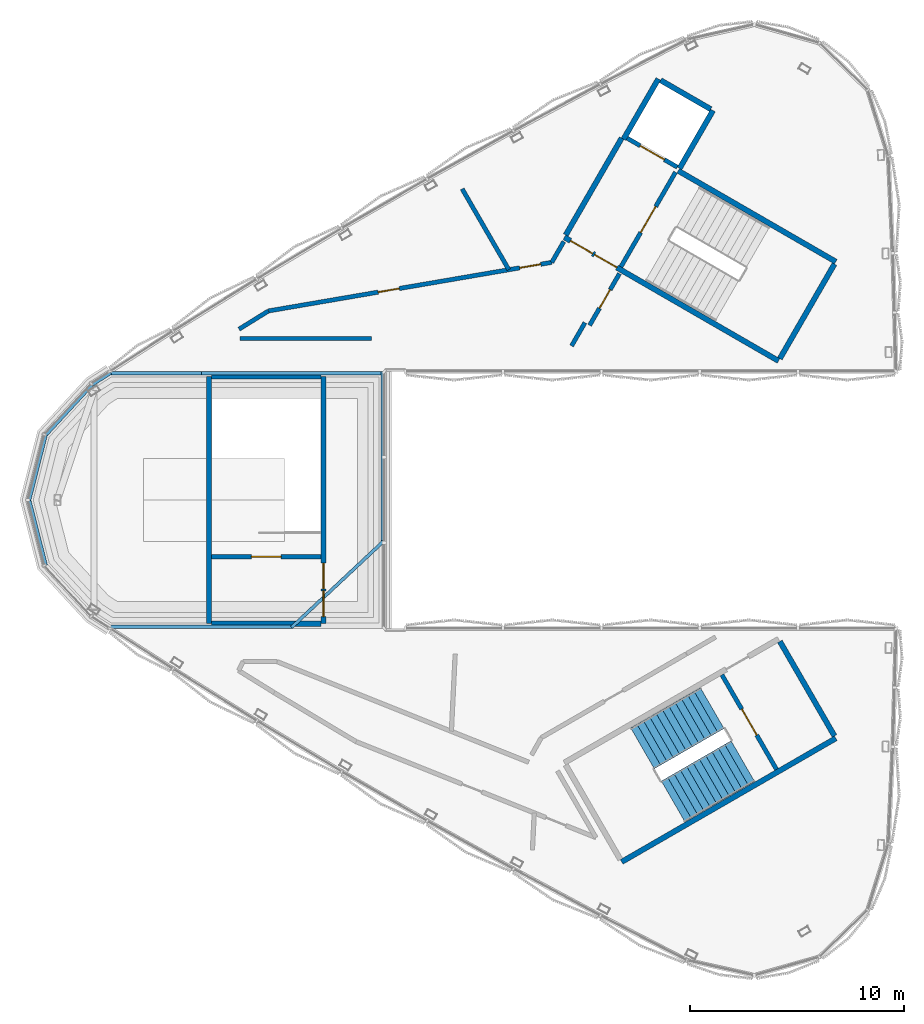
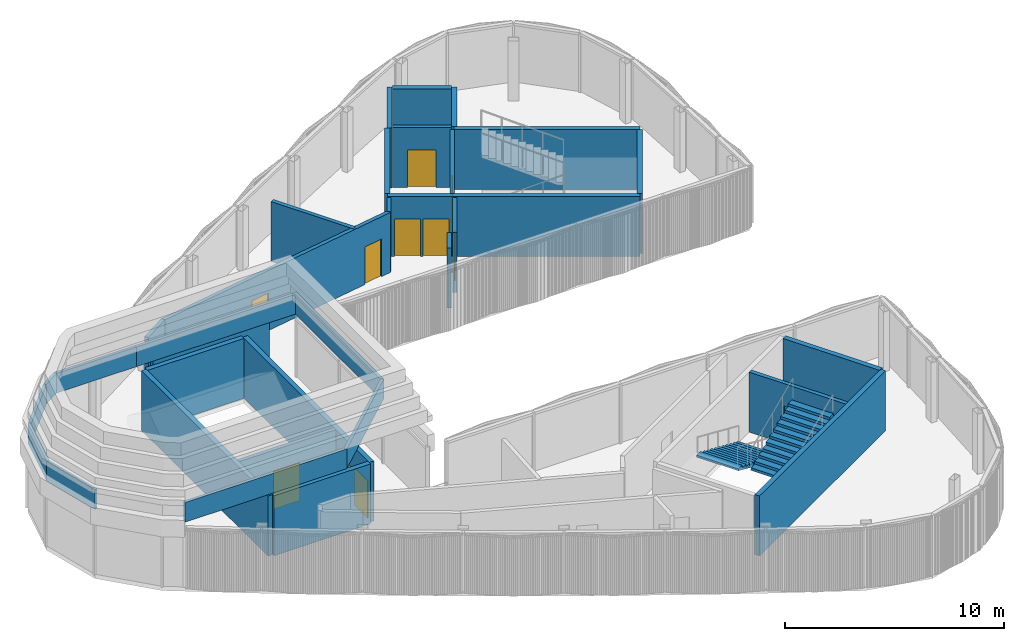
# One storey, part 7 of 16: 33 walls, 11 doors, 2 stair flights, 11 openings, 1 element without a shape of its own.
"""IFC4 building model written with IfcOpenShell, lengths in metres."""

from ifc_helpers import new_model, si_unit, direction, frame, frame_2d, origin, place, context, subcontext, project, spatial, polyline, rectangle, outline, extrude, material, layer, layer_set, type_object, element, fill, aggregate, save


model = new_model("IFC4")

# Units and contexts
model_context = context("Model", 3, precision=1e-05, world=origin(), true_north=direction((0.0, 1.0)))
body_context = subcontext(model_context, "Body", "Model", "MODEL_VIEW")
ifc_project = project(units=[si_unit("LENGTHUNIT", "METRE"), si_unit("AREAUNIT", "SQUARE_METRE"), si_unit("VOLUMEUNIT", "CUBIC_METRE"), si_unit("PLANEANGLEUNIT", "RADIAN"), si_unit("MASSUNIT", "GRAM", prefix="KILO")], contexts=[model_context])

# Site, building, storey
site_placement = place(None, origin())
site = spatial("IfcSite", under=ifc_project, at=site_placement, CompositionType="ELEMENT")
building_placement = place(site_placement, origin())
building = spatial("IfcBuilding", under=site, at=building_placement, Name="Tamra Quay Hotel Tower", CompositionType="ELEMENT")
storey_placement = place(building_placement, frame((0.0, 0.0, 327.800048828125)))
storey = spatial("IfcBuildingStorey", under=building, at=storey_placement, Name="Roof crown 3", CompositionType="ELEMENT", Elevation=327.800048828125)

# Wall, opening, door
ifc_material_1 = material(Name="Concrete M70", Category="concrete")
ifc_layer_1 = layer(ifc_material_1, 0.199951171875)
ifc_layer_set_1 = layer_set([ifc_layer_1], Name="Concrete M70 core wall 200")
wall_type_1 = type_object("IfcWallType", Name="Concrete M70 core wall 200", PredefinedType="SHEAR", material=ifc_layer_set_1)
wall_1_placement = place(storey_placement, frame((-10.96337890625, -2.64990234375, 0.0), z_axis=(0.0, 0.0, 1.0), x_axis=(-1.0, 0.0, 0.0)))
wall_1 = element("IfcWall", 1, at=wall_1_placement, inside=storey, type_object=wall_type_1, Name="CW2", PredefinedType="SHEAR", context=body_context, shape_type="SweptSolid", body=[
    extrude(rectangle(XDim=5.097900390625, YDim=0.199951171875, at=frame_2d((2.548828125, 0.0))), origin(), (0.0, 0.0, 1.0), 3.349853515625),
])
opening_1_placement = place(wall_1_placement, frame((1.84912109375, 0.0, 0.0)))
opening_1 = element("IfcOpeningElement", 2, at=opening_1_placement, cuts=wall_1, Name="Opening FD2", PredefinedType="OPENING", context=body_context, shape_type="SweptSolid", body=[
    extrude(rectangle(XDim=1.39990234375, YDim=2.10009765625, at=frame_2d((0.699951171875, 1.050048828125))), frame((0.0, 0.10986328125, 0.0), z_axis=(0.0, -1.0, 0.0), x_axis=(1.0, 0.0, 0.0)), (0.0, 0.0, 1.0), 0.219970703125),
])
ifc_material_2 = material(Name="Core door FD2 1400x2100 RH")
door_type_1 = type_object("IfcDoorType", Name="Core door FD2 1400x2100 RH", OperationType="NOTDEFINED", PredefinedType="DOOR", material=ifc_material_2)
door_1_placement = place(opening_1_placement, origin())
door_1 = element("IfcDoor", 3, at=door_1_placement, inside=storey, type_object=door_type_1, Name="FD2", OperationType="SINGLE_SWING_RIGHT", OverallHeight=2.10009765625, OverallWidth=1.39990234375, PredefinedType="DOOR", context=body_context, shape_type="SweptSolid", body=[
    extrude(rectangle(XDim=1.39990234375, YDim=2.10009765625, at=frame_2d((0.699951171875, 1.050048828125))), frame((0.0, 0.02490234375, 0.0), z_axis=(0.0, -1.0, 0.0), x_axis=(1.0, 0.0, 0.0)), (0.0, 0.0, 1.0), 0.050048828125),
])
fill(opening_1, door_1)

wall_2_placement = place(storey_placement, frame((3.056640625, 10.89453125, 0.0), z_axis=(0.0, 0.0, 1.0), x_axis=(0.499991534382, 0.866030291356, 0.0)))
wall_2 = element("IfcWall", 4, at=wall_2_placement, inside=storey, type_object=wall_type_1, Name="CW2", PredefinedType="SHEAR", context=body_context, shape_type="SweptSolid", body=[
    extrude(rectangle(XDim=5.10498046875, YDim=0.199951171875, at=frame_2d((2.552490234375, 0.0))), origin(), (0.0, 0.0, 1.0), 3.349853515625),
])
opening_2_placement = place(wall_2_placement, frame((1.84912109375, 0.0, 0.0)))
opening_2 = element("IfcOpeningElement", 5, at=opening_2_placement, cuts=wall_2, Name="Opening FD2", PredefinedType="OPENING", context=body_context, shape_type="SweptSolid", body=[
    extrude(rectangle(XDim=1.39990234375, YDim=2.10009765625, at=frame_2d((0.699951171875, 1.050048828125))), frame((0.0, 0.10986328125, 0.0), z_axis=(0.0, -1.0, 0.0), x_axis=(1.0, 0.0, 0.0)), (0.0, 0.0, 1.0), 0.219970703125),
])
door_2_placement = place(opening_2_placement, origin())
door_2 = element("IfcDoor", 6, at=door_2_placement, inside=storey, type_object=door_type_1, Name="FD2", OperationType="SINGLE_SWING_RIGHT", OverallHeight=2.10009765625, OverallWidth=1.39990234375, PredefinedType="DOOR", context=body_context, shape_type="SweptSolid", body=[
    extrude(rectangle(XDim=1.39990234375, YDim=2.10009765625, at=frame_2d((0.699951171875, 1.050048828125))), frame((0.0, 0.02490234375, 0.0), z_axis=(0.0, -1.0, 0.0), x_axis=(1.0, 0.0, 0.0)), (0.0, 0.0, 1.0), 0.050048828125),
])
fill(opening_2, door_2)

wall_3_placement = place(storey_placement, frame((5.68798828125, 15.5517578125, 0.0), z_axis=(0.0, 0.0, 1.0), x_axis=(-0.866007835605, 0.500030427744, 0.0)))
wall_3 = element("IfcWall", 7, at=wall_3_placement, inside=storey, type_object=wall_type_1, Name="CW2", PredefinedType="SHEAR", context=body_context, shape_type="SweptSolid", body=[
    extrude(rectangle(XDim=2.698974609375, YDim=0.199951171875, at=frame_2d((1.349609375, 0.0))), origin(), (0.0, 0.0, 1.0), 3.349853515625),
])
opening_3_placement = place(wall_3_placement, frame((0.699951171875, 0.0, 0.0)))
opening_3 = element("IfcOpeningElement", 8, at=opening_3_placement, cuts=wall_3, Name="Opening LD", PredefinedType="OPENING", context=body_context, shape_type="SweptSolid", body=[
    extrude(rectangle(XDim=1.300048828125, YDim=2.10009765625, at=frame_2d((0.64990234375, 1.050048828125))), frame((0.0, 0.10986328125, 0.0), z_axis=(0.0, -1.0, 0.0), x_axis=(1.0, 0.0, 0.0)), (0.0, 0.0, 1.0), 0.219970703125),
])
ifc_material_3 = material(Name="Landing door LD 1300 sliding to left")
door_type_2 = type_object("IfcDoorType", Name="Landing door LD 1300 sliding to left", OperationType="NOTDEFINED", PredefinedType="DOOR", material=ifc_material_3)
door_3_placement = place(opening_3_placement, origin())
door_3 = element("IfcDoor", 9, at=door_3_placement, inside=storey, type_object=door_type_2, Name="LD", OperationType="SLIDING_TO_LEFT", OverallHeight=2.10009765625, OverallWidth=1.300048828125, PredefinedType="DOOR", context=body_context, shape_type="SweptSolid", body=[
    extrude(rectangle(XDim=1.300048828125, YDim=2.10009765625, at=frame_2d((0.64990234375, 1.050048828125))), frame((0.0, 0.02490234375, 0.0), z_axis=(0.0, -1.0, 0.0), x_axis=(1.0, 0.0, 0.0)), (0.0, 0.0, 1.0), 0.050048828125),
])
fill(opening_3, door_3)

wall_4_placement = place(storey_placement, frame((7.776611328125, -8.16943359375, 0.0), z_axis=(0.0, 0.0, 1.0), x_axis=(0.500007101845, -0.866021303493, 0.0)))
wall_4 = element("IfcWall", 10, at=wall_4_placement, inside=storey, type_object=wall_type_1, Name="CW2", PredefinedType="SHEAR", context=body_context, shape_type="SweptSolid", body=[
    extrude(rectangle(XDim=5.09814453125, YDim=0.199951171875, at=frame_2d((2.549072265625, 0.0))), origin(), (0.0, 0.0, 1.0), 3.349853515625),
])
opening_4_placement = place(wall_4_placement, frame((1.84912109375, 0.0, 0.0)))
opening_4 = element("IfcOpeningElement", 11, at=opening_4_placement, cuts=wall_4, Name="Opening FD2", PredefinedType="OPENING", context=body_context, shape_type="SweptSolid", body=[
    extrude(rectangle(XDim=1.39990234375, YDim=2.10009765625, at=frame_2d((0.699951171875, 1.050048828125))), frame((0.0, 0.10986328125, 0.0), z_axis=(0.0, -1.0, 0.0), x_axis=(1.0, 0.0, 0.0)), (0.0, 0.0, 1.0), 0.219970703125),
])
door_4_placement = place(opening_4_placement, origin())
door_4 = element("IfcDoor", 12, at=door_4_placement, inside=storey, type_object=door_type_1, Name="FD2", OperationType="SINGLE_SWING_RIGHT", OverallHeight=2.10009765625, OverallWidth=1.39990234375, PredefinedType="DOOR", context=body_context, shape_type="SweptSolid", body=[
    extrude(rectangle(XDim=1.39990234375, YDim=2.10009765625, at=frame_2d((0.699951171875, 1.050048828125))), frame((0.0, 0.02490234375, 0.0), z_axis=(0.0, -1.0, 0.0), x_axis=(1.0, 0.0, 0.0)), (0.0, 0.0, 1.0), 0.050048828125),
])
fill(opening_4, door_4)

# Wall, openings, doors
ifc_layer_2 = layer(ifc_material_1, 0.25)
ifc_layer_set_2 = layer_set([ifc_layer_2], Name="Concrete M70 core wall 250")
wall_type_2 = type_object("IfcWallType", Name="Concrete M70 core wall 250", PredefinedType="SHEAR", material=ifc_layer_set_2)
wall_5_placement = place(storey_placement, frame((-10.83740234375, 5.77490234375, 0.0), z_axis=(0.0, 0.0, 1.0), x_axis=(0.0, -1.0, 0.0)))
wall_5 = element("IfcWall", 13, at=wall_5_placement, inside=storey, type_object=wall_type_2, Name="CW1", PredefinedType="SHEAR", context=body_context, shape_type="SweptSolid", body=[
    extrude(rectangle(XDim=11.5498046875, YDim=0.25, at=frame_2d((5.77490234375, 0.0))), origin(), (0.0, 0.0, 1.0), 3.349853515625),
])
opening_5_placement = place(wall_5_placement, frame((10.02490234375, 0.0, 0.0)))
opening_5 = element("IfcOpeningElement", 14, at=opening_5_placement, cuts=wall_5, Name="Opening FD1", PredefinedType="OPENING", context=body_context, shape_type="SweptSolid", body=[
    extrude(rectangle(XDim=1.199951171875, YDim=2.10009765625, at=frame_2d((0.60009765625, 1.050048828125))), frame((0.0, 0.135009765625, 0.0), z_axis=(0.0, -1.0, 0.0), x_axis=(1.0, 0.0, 0.0)), (0.0, 0.0, 1.0), 0.27001953125),
])
opening_6_placement = place(wall_5_placement, frame((8.72509765625, 0.0, 0.0)))
opening_6 = element("IfcOpeningElement", 15, at=opening_6_placement, cuts=wall_5, Name="Opening FD1", PredefinedType="OPENING", context=body_context, shape_type="SweptSolid", body=[
    extrude(rectangle(XDim=1.199951171875, YDim=2.10009765625, at=frame_2d((0.60009765625, 1.050048828125))), frame((0.0, 0.135009765625, 0.0), z_axis=(0.0, -1.0, 0.0), x_axis=(1.0, 0.0, 0.0)), (0.0, 0.0, 1.0), 0.27001953125),
])
ifc_material_4 = material(Name="Core door FD1 1200x2100 LH")
door_type_3 = type_object("IfcDoorType", Name="Core door FD1 1200x2100 LH", OperationType="NOTDEFINED", PredefinedType="DOOR", material=ifc_material_4)
door_5_placement = place(opening_5_placement, origin())
door_5 = element("IfcDoor", 16, at=door_5_placement, inside=storey, type_object=door_type_3, Name="FD1", OperationType="SINGLE_SWING_LEFT", OverallHeight=2.10009765625, OverallWidth=1.199951171875, PredefinedType="DOOR", context=body_context, shape_type="SweptSolid", body=[
    extrude(rectangle(XDim=1.199951171875, YDim=2.10009765625, at=frame_2d((0.60009765625, 1.050048828125))), frame((0.0, 0.02490234375, 0.0), z_axis=(0.0, -1.0, 0.0), x_axis=(1.0, 0.0, 0.0)), (0.0, 0.0, 1.0), 0.050048828125),
])
fill(opening_5, door_5)
ifc_material_5 = material(Name="Core door FD1 1200x2100 RH")
door_type_4 = type_object("IfcDoorType", Name="Core door FD1 1200x2100 RH", OperationType="NOTDEFINED", PredefinedType="DOOR", material=ifc_material_5)
door_6_placement = place(opening_6_placement, origin())
door_6 = element("IfcDoor", 17, at=door_6_placement, inside=storey, type_object=door_type_4, Name="FD1", OperationType="SINGLE_SWING_RIGHT", OverallHeight=2.10009765625, OverallWidth=1.199951171875, PredefinedType="DOOR", context=body_context, shape_type="SweptSolid", body=[
    extrude(rectangle(XDim=1.199951171875, YDim=2.10009765625, at=frame_2d((0.60009765625, 1.050048828125))), frame((0.0, 0.02490234375, 0.0), z_axis=(0.0, -1.0, 0.0), x_axis=(1.0, 0.0, 0.0)), (0.0, 0.0, 1.0), 0.050048828125),
])
fill(opening_6, door_6)

# Walls
wall_6_placement = place(storey_placement, frame((-16.187255859375, -5.77490234375, 0.0), z_axis=(0.0, 0.0, 1.0), x_axis=(0.0, 1.0, 0.0)))
element("IfcWall", 18, at=wall_6_placement, inside=storey, type_object=wall_type_2, Name="CW1", PredefinedType="SHEAR", context=body_context, shape_type="SweptSolid", body=[
    extrude(rectangle(XDim=11.5498046875, YDim=0.25, at=frame_2d((5.77490234375, 0.0))), origin(), (0.0, 0.0, 1.0), 3.349853515625),
])
for number, where, z_axis, x_axis, name in (
    (19, (-10.962646484375, -5.77490234375, 0.0), (0.0, 0.0, 1.0), (-1.0, 0.0, 0.0), "CW1"),
    (20, (-16.061767578125, 5.77490234375, 0.0), (0.0, 0.0, 1.0), (1.0, 0.0, 0.0), "CW1"),
):
    element("IfcWall", number, at=place(storey_placement, frame(where, z_axis=z_axis, x_axis=x_axis)), inside=storey, type_object=wall_type_2, Name=name, PredefinedType="SHEAR", context=body_context, shape_type="SweptSolid", body=[
        extrude(rectangle(XDim=5.09912109375, YDim=0.25, at=frame_2d((2.549560546875, 0.0))), origin(), (0.0, 0.0, 1.0), 3.349853515625),
    ])

# Wall, openings, doors
wall_7_placement = place(storey_placement, frame((10.419921875, 6.497802734375, 0.0), z_axis=(0.0, 0.0, 1.0), x_axis=(-0.866021906294, 0.500006057782, 0.0)))
wall_7 = element("IfcWall", 21, at=wall_7_placement, inside=storey, type_object=wall_type_2, Name="CW1", PredefinedType="SHEAR", context=body_context, shape_type="SweptSolid", body=[
    extrude(rectangle(XDim=11.550048828125, YDim=0.25, at=frame_2d((5.77490234375, 0.0))), origin(), (0.0, 0.0, 1.0), 3.349853515625),
])
opening_7_placement = place(wall_7_placement, frame((10.02490234375, 0.0, 0.0)))
opening_7 = element("IfcOpeningElement", 22, at=opening_7_placement, cuts=wall_7, Name="Opening FD1", PredefinedType="OPENING", context=body_context, shape_type="SweptSolid", body=[
    extrude(rectangle(XDim=1.199951171875, YDim=2.10009765625, at=frame_2d((0.60009765625, 1.050048828125))), frame((0.0, 0.135009765625, 0.0), z_axis=(0.0, -1.0, 0.0), x_axis=(1.0, 0.0, 0.0)), (0.0, 0.0, 1.0), 0.27001953125),
])
opening_8_placement = place(wall_7_placement, frame((8.724853515625, 0.0, 0.0)))
opening_8 = element("IfcOpeningElement", 23, at=opening_8_placement, cuts=wall_7, Name="Opening FD1", PredefinedType="OPENING", context=body_context, shape_type="SweptSolid", body=[
    extrude(rectangle(XDim=1.199951171875, YDim=2.10009765625, at=frame_2d((0.60009765625, 1.050048828125))), frame((0.0, 0.135009765625, 0.0), z_axis=(0.0, -1.0, 0.0), x_axis=(1.0, 0.0, 0.0)), (0.0, 0.0, 1.0), 0.27001953125),
])
door_7_placement = place(opening_7_placement, origin())
door_7 = element("IfcDoor", 24, at=door_7_placement, inside=storey, type_object=door_type_3, Name="FD1", OperationType="SINGLE_SWING_LEFT", OverallHeight=2.10009765625, OverallWidth=1.199951171875, PredefinedType="DOOR", context=body_context, shape_type="SweptSolid", body=[
    extrude(rectangle(XDim=1.199951171875, YDim=2.10009765625, at=frame_2d((0.60009765625, 1.050048828125))), frame((0.0, 0.02490234375, 0.0), z_axis=(0.0, -1.0, 0.0), x_axis=(1.0, 0.0, 0.0)), (0.0, 0.0, 1.0), 0.050048828125),
])
fill(opening_7, door_7)
door_8_placement = place(opening_8_placement, origin())
door_8 = element("IfcDoor", 25, at=door_8_placement, inside=storey, type_object=door_type_4, Name="FD1", OperationType="SINGLE_SWING_RIGHT", OverallHeight=2.10009765625, OverallWidth=1.199951171875, PredefinedType="DOOR", context=body_context, shape_type="SweptSolid", body=[
    extrude(rectangle(XDim=1.199951171875, YDim=2.10009765625, at=frame_2d((0.60009765625, 1.050048828125))), frame((0.0, 0.02490234375, 0.0), z_axis=(0.0, -1.0, 0.0), x_axis=(1.0, 0.0, 0.0)), (0.0, 0.0, 1.0), 0.050048828125),
])
fill(opening_8, door_8)

# Walls
wall_8_placement = place(storey_placement, frame((5.733642578125, 15.381103515625, 0.0), z_axis=(0.0, 0.0, 1.0), x_axis=(0.866028703517, -0.499994284652, 0.0)))
element("IfcWall", 26, at=wall_8_placement, inside=storey, type_object=wall_type_2, Name="CW1", PredefinedType="SHEAR", context=body_context, shape_type="SweptSolid", body=[
    extrude(rectangle(XDim=8.5, YDim=0.25, at=frame_2d((4.25, 0.0))), origin(), (0.0, 0.0, 1.0), 3.349853515625),
])
wall_9_placement = place(storey_placement, frame((0.47998046875, 12.38134765625, 0.0), z_axis=(0.0, 0.0, 1.0), x_axis=(0.49999885962, 0.866026062182, 0.0)))
element("IfcWall", 27, at=wall_9_placement, inside=storey, type_object=wall_type_2, Name="CW1", PredefinedType="SHEAR", context=body_context, shape_type="SweptSolid", body=[
    extrude(rectangle(XDim=5.224609375, YDim=0.25, at=frame_2d((2.6123046875, 0.0))), origin(), (0.0, 0.0, 1.0), 3.349853515625),
])
wall_10_placement = place(storey_placement, frame((13.0322265625, 11.0224609375, 0.0), z_axis=(0.0, 0.0, 1.0), x_axis=(-0.499995990076, -0.866027718903, 0.0)))
element("IfcWall", 28, at=wall_10_placement, inside=storey, type_object=wall_type_2, Name="CW1", PredefinedType="SHEAR", context=body_context, shape_type="SweptSolid", body=[
    extrude(rectangle(XDim=5.09912109375, YDim=0.25, at=frame_2d((2.549560546875, 0.0))), origin(), (0.0, 0.0, 1.0), 3.349853515625),
])
wall_11_placement = place(storey_placement, frame((7.358642578125, 18.19580078125, 0.0), z_axis=(0.0, 0.0, 1.0), x_axis=(-0.4999794672, -0.866037258078, 0.0)))
element("IfcWall", 29, at=wall_11_placement, inside=storey, type_object=wall_type_2, Name="CW1", PredefinedType="SHEAR", context=body_context, shape_type="SweptSolid", body=[
    extrude(rectangle(XDim=3.124755859375, YDim=0.25, at=frame_2d((1.5625, 0.0))), origin(), (0.0, 0.0, 1.0), 3.349853515625),
])
wall_12_placement = place(storey_placement, frame((3.178955078125, 16.856201171875, 0.0), z_axis=(0.0, 0.0, 1.0), x_axis=(0.500017246033, 0.866015446554, 0.0)))
element("IfcWall", 30, at=wall_12_placement, inside=storey, type_object=wall_type_2, Name="CW1", PredefinedType="SHEAR", context=body_context, shape_type="SweptSolid", body=[
    extrude(rectangle(XDim=3.25, YDim=0.25, at=frame_2d((1.625, 0.0))), origin(), (0.0, 0.0, 1.0), 3.349853515625),
])
wall_13_placement = place(storey_placement, frame((4.91259765625, 19.60791015625, 0.0), z_axis=(0.0, 0.0, 1.0), x_axis=(0.866030449233, -0.499991260925, 0.0)))
element("IfcWall", 31, at=wall_13_placement, inside=storey, type_object=wall_type_2, Name="CW1", PredefinedType="SHEAR", context=body_context, shape_type="SweptSolid", body=[
    extrude(rectangle(XDim=2.69921875, YDim=0.25, at=frame_2d((1.349609375, 0.0))), origin(), (0.0, 0.0, 1.0), 3.349853515625),
])
wall_14_placement = place(storey_placement, frame((13.094970703125, -11.131103515625, 0.0), z_axis=(0.0, 0.0, 1.0), x_axis=(-0.866031059098, -0.499990204581, 0.0)))
element("IfcWall", 32, at=wall_14_placement, inside=storey, type_object=wall_type_2, Name="CW1", PredefinedType="SHEAR", context=body_context, shape_type="SweptSolid", body=[
    extrude(rectangle(XDim=11.550048828125, YDim=0.25, at=frame_2d((5.77490234375, 0.0))), origin(), (0.0, 0.0, 1.0), 3.349853515625),
])
wall_15_placement = place(storey_placement, frame((10.482666015625, -6.6064453125, 0.0), z_axis=(0.0, 0.0, 1.0), x_axis=(0.499995990076, -0.866027718903, 0.0)))
element("IfcWall", 33, at=wall_15_placement, inside=storey, type_object=wall_type_2, Name="CW1", PredefinedType="SHEAR", context=body_context, shape_type="SweptSolid", body=[
    extrude(rectangle(XDim=5.09912109375, YDim=0.25, at=frame_2d((2.549560546875, 0.0))), origin(), (0.0, 0.0, 1.0), 3.349853515625),
])
ifc_material_6 = material(Name="Reinforced concrete M60 with render", Category="concrete")
ifc_layer_3 = layer(ifc_material_6, 0.14990234375)
ifc_layer_set_3 = layer_set([ifc_layer_3], Name="PARAPET WALL 150")
wall_type_3 = type_object("IfcWallType", Name="PARAPET WALL 150", PredefinedType="PARAPET", material=ifc_layer_set_3)
wall_16_placement = place(storey_placement, frame((-12.27197265625, -5.925048828125, 3.599853515625), z_axis=(0.0, 0.0, 1.0), x_axis=(-1.0, 0.0, 0.0)))
element("IfcWall", 34, at=wall_16_placement, inside=storey, type_object=wall_type_3, Name="PW0", PredefinedType="PARAPET", context=body_context, shape_type="SweptSolid", body=[
    extrude(rectangle(XDim=8.543701171875, YDim=0.14990234375, at=frame_2d((4.27197265625, 0.0))), origin(), (0.0, 0.0, 1.0), 1.10009765625),
])
wall_17_placement = place(storey_placement, frame((-8.05126953125, -1.9453125, 3.599853515625), z_axis=(0.0, 0.0, 1.0), x_axis=(-0.729941681389, -0.683509430638, 0.0)))
element("IfcWall", 35, at=wall_17_placement, inside=storey, type_object=wall_type_3, Name="PW0", PredefinedType="PARAPET", context=body_context, shape_type="SweptSolid", body=[
    extrude(rectangle(XDim=5.85205078125, YDim=0.14990234375, at=frame_2d((2.926025390625, 0.0))), origin(), (0.0, 0.0, 1.0), 1.10009765625),
])
wall_18_placement = place(storey_placement, frame((-8.074951171875, 6.0, 3.599853515625), z_axis=(0.0, 0.0, 1.0), x_axis=(0.0, -1.0, 0.0)))
element("IfcWall", 36, at=wall_18_placement, inside=storey, type_object=wall_type_3, Name="PW0", PredefinedType="PARAPET", context=body_context, shape_type="SweptSolid", body=[
    extrude(rectangle(XDim=8.0, YDim=0.14990234375, at=frame_2d((4.0, 0.0))), origin(), (0.0, 0.0, 1.0), 1.10009765625),
])
wall_19_placement = place(storey_placement, frame((-16.543701171875, 5.925048828125, 3.599853515625), z_axis=(0.0, 0.0, 1.0), x_axis=(1.0, 0.0, 0.0)))
element("IfcWall", 37, at=wall_19_placement, inside=storey, type_object=wall_type_3, Name="PW0", PredefinedType="PARAPET", context=body_context, shape_type="SweptSolid", body=[
    extrude(rectangle(XDim=8.543701171875, YDim=0.14990234375, at=frame_2d((4.27197265625, 0.0))), origin(), (0.0, 0.0, 1.0), 1.10009765625),
])
wall_20_placement = place(storey_placement, frame((-20.815673828125, 5.925048828125, 3.599853515625), z_axis=(0.0, 0.0, 1.0), x_axis=(1.0, 0.0, 0.0)))
element("IfcWall", 38, at=wall_20_placement, inside=storey, type_object=wall_type_3, Name="PW0", PredefinedType="PARAPET", context=body_context, shape_type="SweptSolid", body=[
    extrude(rectangle(XDim=4.27197265625, YDim=0.14990234375, at=frame_2d((2.135986328125, 0.0))), origin(), (0.0, 0.0, 1.0), 1.10009765625),
])
wall_21_placement = place(storey_placement, frame((-21.64892578125, 5.376220703125, 3.599853515625), z_axis=(0.0, 0.0, 1.0), x_axis=(0.841690048982, 0.539960981409, 0.0)))
element("IfcWall", 39, at=wall_21_placement, inside=storey, type_object=wall_type_3, Name="PW0", PredefinedType="PARAPET", context=body_context, shape_type="SweptSolid", body=[
    extrude(rectangle(XDim=1.0380859375, YDim=0.14990234375, at=frame_2d((0.51904296875, 0.0))), origin(), (0.0, 0.0, 1.0), 1.10009765625),
])
wall_22_placement = place(storey_placement, frame((-23.823974609375, 3.010498046875, 3.599853515625), z_axis=(0.0, 0.0, 1.0), x_axis=(0.677395111538, 0.735619373633, 0.0)))
element("IfcWall", 40, at=wall_22_placement, inside=storey, type_object=wall_type_3, Name="PW0", PredefinedType="PARAPET", context=body_context, shape_type="SweptSolid", body=[
    extrude(rectangle(XDim=3.23291015625, YDim=0.14990234375, at=frame_2d((1.616455078125, 0.0))), origin(), (0.0, 0.0, 1.0), 1.10009765625),
])
for number, where, z_axis, x_axis, name in (
    (41, (-24.581787109375, -0.018310546875, 3.599853515625), (0.0, 0.0, 1.0), (0.245535903329, 0.969387497431, 0.0), "PW0"),
    (42, (-23.806396484375, -3.04296875, 3.599853515625), (0.0, 0.0, 1.0), (-0.245535903329, 0.969387497431, 0.0), "PW0"),
):
    element("IfcWall", number, at=place(storey_placement, frame(where, z_axis=z_axis, x_axis=x_axis)), inside=storey, type_object=wall_type_3, Name=name, PredefinedType="PARAPET", context=body_context, shape_type="SweptSolid", body=[
        extrude(rectangle(XDim=3.157958984375, YDim=0.14990234375, at=frame_2d((1.5791015625, 0.0))), origin(), (0.0, 0.0, 1.0), 1.10009765625),
    ])
ifc_material_7 = material(Name="Partition corridor wall")
ifc_layer_4 = layer(ifc_material_7, 0.199951171875)
ifc_layer_set_4 = layer_set([ifc_layer_4], Name="Partition corridor wall")
wall_type_4 = type_object("IfcWallType", Name="Partition corridor wall", PredefinedType="PARTITIONING", material=ifc_layer_set_4)
wall_23_placement = place(storey_placement, frame((-14.781982421875, 7.98095703125, 0.0), z_axis=(0.0, 0.0, 1.0), x_axis=(0.850065227576, 0.526677423918, 0.0)))
element("IfcWall", 43, at=wall_23_placement, inside=storey, type_object=wall_type_4, Name="W-C", PredefinedType="PARTITIONING", context=body_context, shape_type="SweptSolid", body=[
    extrude(rectangle(XDim=1.614013671875, YDim=0.199951171875, at=frame_2d((0.80712890625, 0.0))), origin(), (0.0, 0.0, 1.0), 3.349853515625),
])
wall_24_placement = place(storey_placement, frame((-14.7451171875, 7.549072265625, 0.0), z_axis=(0.0, 0.0, 1.0), x_axis=(1.0, 0.0, 0.0)))
element("IfcWall", 44, at=wall_24_placement, inside=storey, type_object=wall_type_4, Name="W-C", PredefinedType="PARTITIONING", context=body_context, shape_type="SweptSolid", body=[
    extrude(rectangle(XDim=6.156005859375, YDim=0.199951171875, at=frame_2d((3.078125, 0.0))), origin(), (0.0, 0.0, 1.0), 3.349853515625),
])

# Wall, openings, doors
wall_25_placement = place(storey_placement, frame((-13.409912109375, 8.8310546875, 0.0), z_axis=(0.0, 0.0, 1.0), x_axis=(0.985608240333, 0.169045545896, 0.0)))
wall_25 = element("IfcWall", 45, at=wall_25_placement, inside=storey, type_object=wall_type_4, Name="W-C", PredefinedType="PARTITIONING", context=body_context, shape_type="SweptSolid", body=[
    extrude(rectangle(XDim=13.431396484375, YDim=0.199951171875, at=frame_2d((6.7158203125, 0.0))), origin(), (0.0, 0.0, 1.0), 3.349853515625),
])
opening_9_placement = place(wall_25_placement, frame((5.196533203125, 0.0, 0.0)))
opening_9 = element("IfcOpeningElement", 46, at=opening_9_placement, cuts=wall_25, Name="Opening Roof crown 3-D001", PredefinedType="OPENING", context=body_context, shape_type="SweptSolid", body=[
    extrude(rectangle(XDim=1.0, YDim=2.10009765625, at=frame_2d((0.5, 1.050048828125))), frame((0.0, 0.10986328125, 0.0), z_axis=(0.0, -1.0, 0.0), x_axis=(1.0, 0.0, 0.0)), (0.0, 0.0, 1.0), 0.219970703125),
])
opening_10_placement = place(wall_25_placement, frame((11.911865234375, 0.0, 0.0)))
opening_10 = element("IfcOpeningElement", 47, at=opening_10_placement, cuts=wall_25, Name="Opening Roof crown 3-D002", PredefinedType="OPENING", context=body_context, shape_type="SweptSolid", body=[
    extrude(rectangle(XDim=1.0, YDim=2.10009765625, at=frame_2d((0.5, 1.050048828125))), frame((0.0, 0.10986328125, 0.0), z_axis=(0.0, -1.0, 0.0), x_axis=(1.0, 0.0, 0.0)), (0.0, 0.0, 1.0), 0.219970703125),
])
ifc_material_8 = material(Name="Door service room 1000x2100")
door_type_5 = type_object("IfcDoorType", Name="Door service room 1000x2100", OperationType="NOTDEFINED", PredefinedType="DOOR", material=ifc_material_8)
door_9_placement = place(opening_9_placement, origin())
door_9 = element("IfcDoor", 48, at=door_9_placement, inside=storey, type_object=door_type_5, Name="Roof crown 3-D001", OperationType="SINGLE_SWING_LEFT", OverallHeight=2.10009765625, OverallWidth=1.0, PredefinedType="DOOR", context=body_context, shape_type="SweptSolid", body=[
    extrude(rectangle(XDim=1.0, YDim=2.10009765625, at=frame_2d((0.5, 1.050048828125))), frame((0.0, 0.02490234375, 0.0), z_axis=(0.0, -1.0, 0.0), x_axis=(1.0, 0.0, 0.0)), (0.0, 0.0, 1.0), 0.050048828125),
])
fill(opening_9, door_9)
door_10_placement = place(opening_10_placement, origin())
door_10 = element("IfcDoor", 49, at=door_10_placement, inside=storey, type_object=door_type_5, Name="Roof crown 3-D002", OperationType="SINGLE_SWING_LEFT", OverallHeight=2.10009765625, OverallWidth=1.0, PredefinedType="DOOR", context=body_context, shape_type="SweptSolid", body=[
    extrude(rectangle(XDim=1.0, YDim=2.10009765625, at=frame_2d((0.5, 1.050048828125))), frame((0.0, 0.02490234375, 0.0), z_axis=(0.0, -1.0, 0.0), x_axis=(1.0, 0.0, 0.0)), (0.0, 0.0, 1.0), 0.050048828125),
])
fill(opening_10, door_10)

# Walls
wall_26_placement = place(storey_placement, frame((-0.172119140625, 11.10205078125, 0.0), z_axis=(0.0, 0.0, 1.0), x_axis=(0.500205192419, 0.86590690347, 0.0)))
element("IfcWall", 50, at=wall_26_placement, inside=storey, type_object=wall_type_4, Name="W-C", PredefinedType="PARTITIONING", context=body_context, shape_type="SweptSolid", body=[
    extrude(rectangle(XDim=1.12353515625, YDim=0.199951171875, at=frame_2d((0.561767578125, 0.0))), origin(), (0.0, 0.0, 1.0), 3.349853515625),
])
wall_27_placement = place(storey_placement, frame((0.751953125, 7.199951171875, 0.0), z_axis=(0.0, 0.0, 1.0), x_axis=(0.499835134068, 0.866120568253, 0.0)))
element("IfcWall", 51, at=wall_27_placement, inside=storey, type_object=wall_type_4, Name="W-C", PredefinedType="PARTITIONING", context=body_context, shape_type="SweptSolid", body=[
    extrude(rectangle(XDim=1.25048828125, YDim=0.199951171875, at=frame_2d((0.625244140625, 0.0))), origin(), (0.0, 0.0, 1.0), 3.349853515625),
])

# Wall, opening, door
wall_28_placement = place(storey_placement, frame((1.593017578125, 8.158935546875, 0.0), z_axis=(0.0, 0.0, 1.0), x_axis=(0.500035555316, 0.86600487494, 0.0)))
wall_28 = element("IfcWall", 52, at=wall_28_placement, inside=storey, type_object=wall_type_4, Name="W-C", PredefinedType="PARTITIONING", context=body_context, shape_type="SweptSolid", body=[
    extrude(rectangle(XDim=2.789794921875, YDim=0.199951171875, at=frame_2d((1.39501953125, 0.0))), origin(), (0.0, 0.0, 1.0), 3.349853515625),
])
opening_11_placement = place(wall_28_placement, frame((0.9248046875, 0.0, 0.0)))
opening_11 = element("IfcOpeningElement", 53, at=opening_11_placement, cuts=wall_28, Name="Opening Roof crown 3-D003", PredefinedType="OPENING", context=body_context, shape_type="SweptSolid", body=[
    extrude(rectangle(XDim=1.0, YDim=2.10009765625, at=frame_2d((0.5, 1.050048828125))), frame((0.0, 0.10986328125, 0.0), z_axis=(0.0, -1.0, 0.0), x_axis=(1.0, 0.0, 0.0)), (0.0, 0.0, 1.0), 0.219970703125),
])
door_11_placement = place(opening_11_placement, frame((1.0, 0.0, 0.0), z_axis=(0.0, 0.0, 1.0), x_axis=(-1.0, 0.0, 0.0)))
door_11 = element("IfcDoor", 54, at=door_11_placement, inside=storey, type_object=door_type_5, Name="Roof crown 3-D003", OperationType="SINGLE_SWING_LEFT", OverallHeight=2.10009765625, OverallWidth=1.0, PredefinedType="DOOR", context=body_context, shape_type="SweptSolid", body=[
    extrude(rectangle(XDim=1.0, YDim=2.10009765625, at=frame_2d((0.5, 1.050048828125))), frame((0.0, 0.02490234375, 0.0), z_axis=(0.0, -1.0, 0.0), x_axis=(1.0, 0.0, 0.0)), (0.0, 0.0, 1.0), 0.050048828125),
])
fill(opening_11, door_11)

# Wall
ifc_material_9 = material(Name="Partition party wall")
ifc_layer_5 = layer(ifc_material_9, 0.199951171875)
ifc_layer_set_5 = layer_set([ifc_layer_5], Name="Partition party wall")
wall_type_5 = type_object("IfcWallType", Name="Partition party wall", PredefinedType="PARTITIONING", material=ifc_layer_set_5)
wall_29_placement = place(storey_placement, frame((-4.35888671875, 14.532958984375, 0.0), z_axis=(0.0, 0.0, 1.0), x_axis=(0.500039446364, -0.866002628218, 0.0)))
element("IfcWall", 55, at=wall_29_placement, inside=storey, type_object=wall_type_5, Name="W-P", PredefinedType="PARTITIONING", context=body_context, shape_type="SweptSolid", body=[
    extrude(rectangle(XDim=4.355712890625, YDim=0.199951171875, at=frame_2d((2.177734375, 0.0))), origin(), (0.0, 0.0, 1.0), 3.349853515625),
])

# Stair, stair flights
ifc_material_10 = material(Name="Exit stair 2200 24 risers 150.0 going 342")
stair_type = type_object("IfcStairType", Name="Exit stair 2200 24 risers 150.0 going 342", PredefinedType="HALF_TURN_STAIR", material=ifc_material_10)
stair_placement = place(storey_placement, origin())
stair = element("IfcStair", 56, at=stair_placement, inside=storey, type_object=stair_type, Name="Roof crown 3 Exit stair ST2", PredefinedType="HALF_TURN_STAIR")
ifc_material_11 = material(Name="Exit stair flight 2200 12 risers 150.0")
stair_flight_type = type_object("IfcStairFlightType", Name="Exit stair flight 2200 12 risers 150.0", PredefinedType="STRAIGHT", material=ifc_material_11)
stair_flight_1_placement = place(storey_placement, frame((7.322998046875, -9.7236328125, 0.0), z_axis=(0.0, 0.0, 1.0), x_axis=(-0.866025403784, -0.5, 0.0)))
stair_flight_1 = element("IfcStairFlight", 57, at=stair_flight_1_placement, type_object=stair_flight_type, Name="ST2 flight 1", NumberOfRisers=12, NumberOfTreads=11, PredefinedType="STRAIGHT", RiserHeight=0.15, TreadLength=0.342, context=body_context, shape_type="SweptSolid", body=[
    extrude(outline(polyline([(0.0, 0.0), (0.0, 0.14990234375), (0.342041015625, 0.14990234375), (0.342041015625, 0.300048828125), (0.68408203125, 0.300048828125), (0.68408203125, 0.449951171875), (1.02587890625, 0.449951171875), (1.02587890625, 0.60009765625), (1.367919921875, 0.60009765625), (1.367919921875, 0.75), (1.7099609375, 0.75), (1.7099609375, 0.89990234375), (2.052001953125, 0.89990234375), (2.052001953125, 1.050048828125), (2.39404296875, 1.050048828125), (2.39404296875, 1.199951171875), (2.736083984375, 1.199951171875), (2.736083984375, 1.35009765625), (3.077880859375, 1.35009765625), (3.077880859375, 1.5), (3.419921875, 1.5), (3.419921875, 1.64990234375), (3.761962890625, 1.64990234375), (3.761962890625, 1.800048828125), (3.761962890625, 1.540771484375), (0.249267578125, 0.0), (0.0, 0.0)])), frame((0.0, 1.10009765625, 0.0), z_axis=(0.0, -1.0, 0.0), x_axis=(1.0, 0.0, 0.0)), (0.0, 0.0, 1.0), 2.199951171875),
])
stair_flight_2_placement = place(storey_placement, frame((5.494384765625, -14.08056640625, 1.800048828125), z_axis=(0.0, 0.0, 1.0), x_axis=(0.866025403784, 0.5, 0.0)))
stair_flight_2 = element("IfcStairFlight", 58, at=stair_flight_2_placement, type_object=stair_flight_type, Name="ST2 flight 2", NumberOfRisers=12, NumberOfTreads=11, PredefinedType="STRAIGHT", RiserHeight=0.15, TreadLength=0.342, context=body_context, shape_type="SweptSolid", body=[
    extrude(outline(polyline([(0.0, 0.0), (0.0, 0.14990234375), (0.342041015625, 0.14990234375), (0.342041015625, 0.300048828125), (0.68408203125, 0.300048828125), (0.68408203125, 0.449951171875), (1.02587890625, 0.449951171875), (1.02587890625, 0.60009765625), (1.367919921875, 0.60009765625), (1.367919921875, 0.75), (1.7099609375, 0.75), (1.7099609375, 0.89990234375), (2.052001953125, 0.89990234375), (2.052001953125, 1.050048828125), (2.39404296875, 1.050048828125), (2.39404296875, 1.199951171875), (2.736083984375, 1.199951171875), (2.736083984375, 1.35009765625), (3.077880859375, 1.35009765625), (3.077880859375, 1.5), (3.419921875, 1.5), (3.419921875, 1.64990234375), (3.761962890625, 1.64990234375), (3.761962890625, 1.800048828125), (3.761962890625, 1.540771484375), (0.249267578125, 0.0), (0.0, 0.0)])), frame((0.0, 1.10009765625, 0.0), z_axis=(0.0, -1.0, 0.0), x_axis=(1.0, 0.0, 0.0)), (0.0, 0.0, 1.0), 2.199951171875),
])
aggregate(stair, [stair_flight_1, stair_flight_2])

save(model, "model.ifc")
